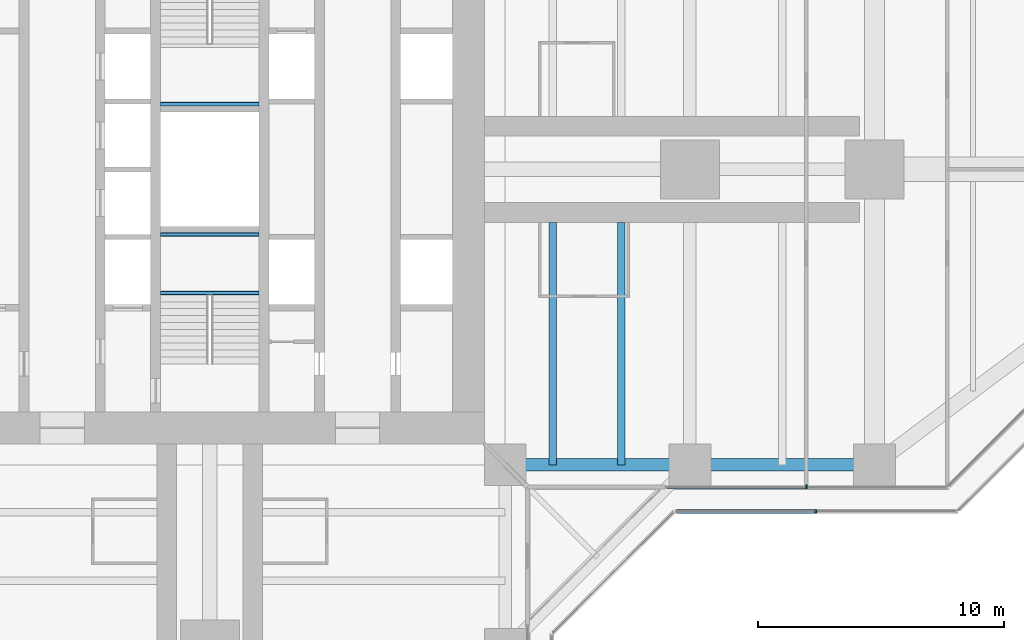
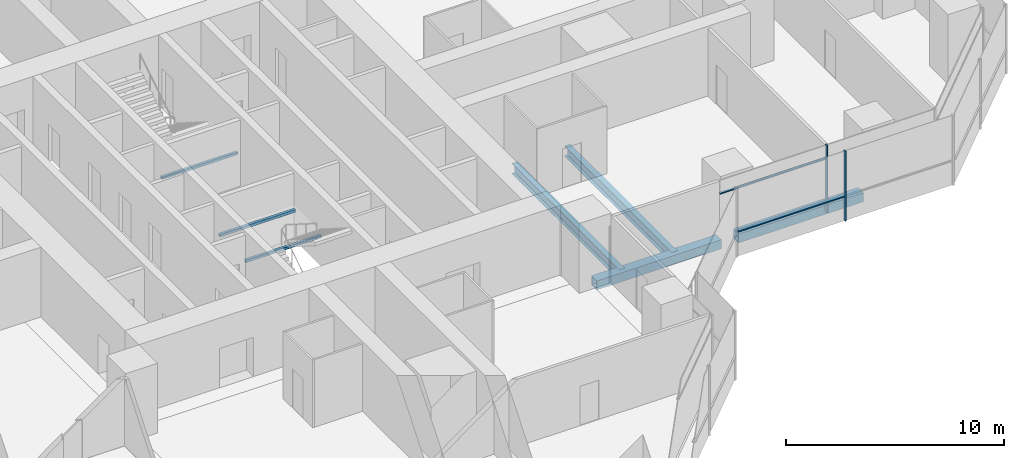
# One storey, part 5 of 19: 7 beams, 4 members, 2 elements without a shape of their own.
"""IFC4 building model written with IfcOpenShell, lengths in metres."""

from ifc_helpers import new_model, si_unit, direction, frame, origin, origin_2d, place, context, subcontext, project, spatial, rectangle, hollow_rectangle, i_section, extrude, material, material_profile, profile_set, type_object, element, aggregate, save


model = new_model("IFC4")

# Units and contexts
model_context = context("Model", 3, precision=1e-05, world=origin(), true_north=direction((0.0, 1.0)))
body_context = subcontext(model_context, "Body", "Model", "MODEL_VIEW")
ifc_project = project(units=[si_unit("LENGTHUNIT", "METRE"), si_unit("AREAUNIT", "SQUARE_METRE"), si_unit("VOLUMEUNIT", "CUBIC_METRE"), si_unit("PLANEANGLEUNIT", "RADIAN"), si_unit("MASSUNIT", "GRAM", prefix="KILO")], contexts=[model_context])

# Site, building, storey
site_placement = place(None, origin())
site = spatial("IfcSite", under=ifc_project, at=site_placement, CompositionType="ELEMENT")
building_placement = place(site_placement, origin())
building = spatial("IfcBuilding", under=site, at=building_placement, Name="Mizan Broadcast Tower", CompositionType="ELEMENT")
storey_placement = place(building_placement, frame((0.0, 0.0, 186.60009765625)))
storey = spatial("IfcBuildingStorey", under=building, at=storey_placement, Name="L43", CompositionType="ELEMENT", Elevation=186.60009765625)

# Beams
ifc_material_1 = material(Name="Steel S355", Category="steel")
ifc_material_profile_1 = material_profile(ifc_material_1, hollow_rectangle(XDim=0.5, YDim=0.5, WallThickness=0.030029296875, at=origin_2d()), Name="BOX 500x500x30")
ifc_profile_set_1 = profile_set([ifc_material_profile_1], Name="Steel S355")
beam_type_1 = type_object("IfcBeamType", Name="EDGE BEAM BOX 500x500x30", PredefinedType="SPANDREL", material=ifc_profile_set_1)
for number, where, z_axis, x_axis, name in (
    (1, (12.449951171875, -12.0, -0.380126953125), (1.0, 0.0, 0.0), (0.0, 1.0, 0.0), "Edge beam BOX 500x500x30 L43 east arm"),
    (2, (19.949951171875, -12.0, -0.380126953125), (1.0, 0.0, 0.0), (0.0, 1.0, 0.0), "Edge beam BOX 500x500x30 L43 east arm"),
):
    element("IfcBeam", number, at=place(storey_placement, frame(where, z_axis=z_axis, x_axis=x_axis)), inside=storey, type_object=beam_type_1, Name=name, PredefinedType="SPANDREL", context=body_context, shape_type="SweptSolid", body=[
        extrude(hollow_rectangle(XDim=0.5, YDim=0.5, WallThickness=0.030029296875, at=origin_2d()), origin(), (0.0, 0.0, 1.0), 6.60009765625),
    ])

# Curtain wall, members
ifc_material_2 = material(Name="Aluminium framed glazing", Category="aluminium")
curtain_wall_type_1 = type_object("IfcCurtainWallType", Name="INNER SKIN MID ZONE", PredefinedType="USERDEFINED", material=ifc_material_2)
curtain_wall_1_placement = place(storey_placement, origin())
curtain_wall_1 = element("IfcCurtainWall", 3, at=curtain_wall_1_placement, inside=storey, type_object=curtain_wall_type_1, Name="Inner skin mid zone L43 E side", ObjectType="INNER SKIN MID ZONE", PredefinedType="USERDEFINED")
ifc_material_3 = material(Name="Aluminium, pale anodised", Category="aluminium")
ifc_material_profile_2 = material_profile(ifc_material_3, rectangle(XDim=0.159912109375, YDim=0.06005859375, at=origin_2d()), Name="MULLION 160x60")
ifc_profile_set_2 = profile_set([ifc_material_profile_2], Name="Aluminium, pale anodised")
member_type_1 = type_object("IfcMemberType", Name="INNER SKIN MULLION 60x160", PredefinedType="MULLION", material=ifc_profile_set_2)
member_1_placement = place(storey_placement, frame((24.229248046875, -12.89990234375, 0.0), z_axis=(0.0, 0.0, 1.0), x_axis=(0.0, 1.0, 0.0)))
member_1 = element("IfcMember", 4, at=member_1_placement, type_object=member_type_1, Name="Inner skin mid zone L43 E side mullion 2", PredefinedType="MULLION", context=body_context, shape_type="SweptSolid", body=[
    extrude(rectangle(XDim=0.159912109375, YDim=0.06005859375, at=origin_2d()), origin(), (0.0, 0.0, 1.0), 3.77001953125),
])
ifc_material_4 = material(Name="Aluminium, pale anodised", Category="aluminium")
ifc_material_profile_3 = material_profile(ifc_material_4, rectangle(XDim=0.1201171875, YDim=0.06005859375, at=origin_2d()), Name="TRANSOM 120x60")
ifc_profile_set_3 = profile_set([ifc_material_profile_3], Name="Aluminium, pale anodised")
member_type_2 = type_object("IfcMemberType", Name="INNER SKIN TRANSOM 60x120", PredefinedType="USERDEFINED", material=ifc_profile_set_3)
member_2_placement = place(storey_placement, frame((18.56005859375, -12.89990234375, 3.02978515625), z_axis=(1.0, 0.0, 0.0), x_axis=(0.0, 1.0, 0.0)))
member_2 = element("IfcMember", 5, at=member_2_placement, type_object=member_type_2, Name="Inner skin mid zone L43 E side transom 1.1", ObjectType="TRANSOM", PredefinedType="USERDEFINED", context=body_context, shape_type="SweptSolid", body=[
    extrude(rectangle(XDim=0.1201171875, YDim=0.06005859375, at=origin_2d()), origin(), (0.0, 0.0, 1.0), 5.63916015625),
])
aggregate(curtain_wall_1, [member_1, member_2])

# Beams
ifc_material_5 = material(Name="Steel S355", Category="steel")
ifc_material_profile_4 = material_profile(ifc_material_5, hollow_rectangle(XDim=0.14990234375, YDim=0.14990234375, WallThickness=0.008056640625, InnerFilletRadius=0.008056640625, OuterFilletRadius=0.011962890625, at=origin_2d()), Name="SHS 150x150x8")
ifc_profile_set_4 = profile_set([ifc_material_profile_4], Name="Steel S355")
beam_type_2 = type_object("IfcBeamType", Name="LANDING TRIMMER SHS 150x150x8", PredefinedType="BEAM", material=ifc_profile_set_4)
for number, where, z_axis, x_axis, name in (
    (6, (-2.0, -5.02490234375, 1.6748046875), (1.0, 0.0, 0.0), (0.0, 1.0, 0.0), "Stair A landing trimmer L43"),
    (7, (-2.0, -2.64990234375, 1.6748046875), (1.0, 0.0, 0.0), (0.0, 1.0, 0.0), "Stair A landing trimmer L43"),
    (8, (2.0, 2.64990234375, 1.6748046875), (-1.0, 0.0, 0.0), (0.0, -1.0, 0.0), "Stair B landing trimmer L43"),
):
    element("IfcBeam", number, at=place(storey_placement, frame(where, z_axis=z_axis, x_axis=x_axis)), inside=storey, type_object=beam_type_2, Name=name, PredefinedType="BEAM", context=body_context, shape_type="SweptSolid", body=[
        extrude(hollow_rectangle(XDim=0.14990234375, YDim=0.14990234375, WallThickness=0.008056640625, InnerFilletRadius=0.008056640625, OuterFilletRadius=0.011962890625, at=origin_2d()), origin(), (0.0, 0.0, 1.0), 4.0),
    ])

# Curtain wall, members
ifc_material_6 = material(Name="Aluminium framed glazing", Category="aluminium")
curtain_wall_type_2 = type_object("IfcCurtainWallType", Name="OUTER SKIN", PredefinedType="USERDEFINED", material=ifc_material_6)
curtain_wall_2_placement = place(storey_placement, origin())
curtain_wall_2 = element("IfcCurtainWall", 9, at=curtain_wall_2_placement, inside=storey, type_object=curtain_wall_type_2, Name="Outer skin L43 E side", ObjectType="OUTER SKIN", PredefinedType="USERDEFINED")
ifc_material_7 = material(Name="Aluminium, pale anodised", Category="aluminium")
ifc_material_profile_5 = material_profile(ifc_material_7, rectangle(XDim=0.159912109375, YDim=0.080078125, at=origin_2d()), Name="MULLION 160x80")
ifc_profile_set_5 = profile_set([ifc_material_profile_5], Name="Aluminium, pale anodised")
member_type_3 = type_object("IfcMemberType", Name="OUTER SKIN MULLION 80x160", PredefinedType="MULLION", material=ifc_profile_set_5)
member_3_placement = place(storey_placement, frame((24.622802734375, -13.89990234375, 0.0), z_axis=(0.0, 0.0, 1.0), x_axis=(0.0, 1.0, 0.0)))
member_3 = element("IfcMember", 10, at=member_3_placement, type_object=member_type_3, Name="Outer skin L43 E side mullion 2", PredefinedType="MULLION", context=body_context, shape_type="SweptSolid", body=[
    extrude(rectangle(XDim=0.159912109375, YDim=0.080078125, at=origin_2d()), origin(), (0.0, 0.0, 1.0), 3.89990234375),
])
ifc_material_8 = material(Name="Aluminium, pale anodised", Category="aluminium")
ifc_material_profile_6 = material_profile(ifc_material_8, rectangle(XDim=0.159912109375, YDim=0.06005859375, at=origin_2d()), Name="TRANSOM 160x60")
ifc_profile_set_6 = profile_set([ifc_material_profile_6], Name="Aluminium, pale anodised")
member_type_4 = type_object("IfcMemberType", Name="OUTER SKIN TRANSOM 60x160", PredefinedType="USERDEFINED", material=ifc_profile_set_6)
member_4_placement = place(storey_placement, frame((18.952880859375, -13.89990234375, 1.39990234375), z_axis=(1.0, 0.0, 0.0), x_axis=(0.0, 1.0, 0.0)))
member_4 = element("IfcMember", 11, at=member_4_placement, type_object=member_type_4, Name="Outer skin L43 E side transom 1.1", ObjectType="TRANSOM", PredefinedType="USERDEFINED", context=body_context, shape_type="SweptSolid", body=[
    extrude(rectangle(XDim=0.159912109375, YDim=0.06005859375, at=origin_2d()), origin(), (0.0, 0.0, 1.0), 5.6298828125),
])
aggregate(curtain_wall_2, [member_3, member_4])

# Beams
ifc_material_9 = material(Name="Steel S355", Category="steel")
ifc_material_profile_7 = material_profile(ifc_material_9, i_section(OverallWidth=0.300048828125, OverallDepth=0.590087890625, WebThickness=0.012939453125, FlangeThickness=0.02490234375, FilletRadius=0.027099609375, at=origin_2d()), Name="HEA 600")
ifc_profile_set_7 = profile_set([ifc_material_profile_7], Name="Steel S355")
beam_type_3 = type_object("IfcBeamType", Name="SECONDARY BEAM HEA 600", PredefinedType="JOIST", material=ifc_profile_set_7)
for number, where, z_axis, x_axis, name in (
    (12, (13.933349609375, -12.0, -0.425048828125), (0.0, 1.0, 0.0), (-1.0, 0.0, 0.0), "Secondary beam HEA 600 L43 east arm"),
    (13, (16.716552734375, -12.0, -0.425048828125), (0.0, 1.0, 0.0), (-1.0, 0.0, 0.0), "Secondary beam HEA 600 L43 east arm"),
):
    element("IfcBeam", number, at=place(storey_placement, frame(where, z_axis=z_axis, x_axis=x_axis)), inside=storey, type_object=beam_type_3, Name=name, PredefinedType="JOIST", context=body_context, shape_type="SweptSolid", body=[
        extrude(i_section(OverallWidth=0.300048828125, OverallDepth=0.590087890625, WebThickness=0.012939453125, FlangeThickness=0.02490234375, FilletRadius=0.027099609375, at=origin_2d()), origin(), (0.0, 0.0, 1.0), 9.85009765625),
    ])

save(model, "model.ifc")
